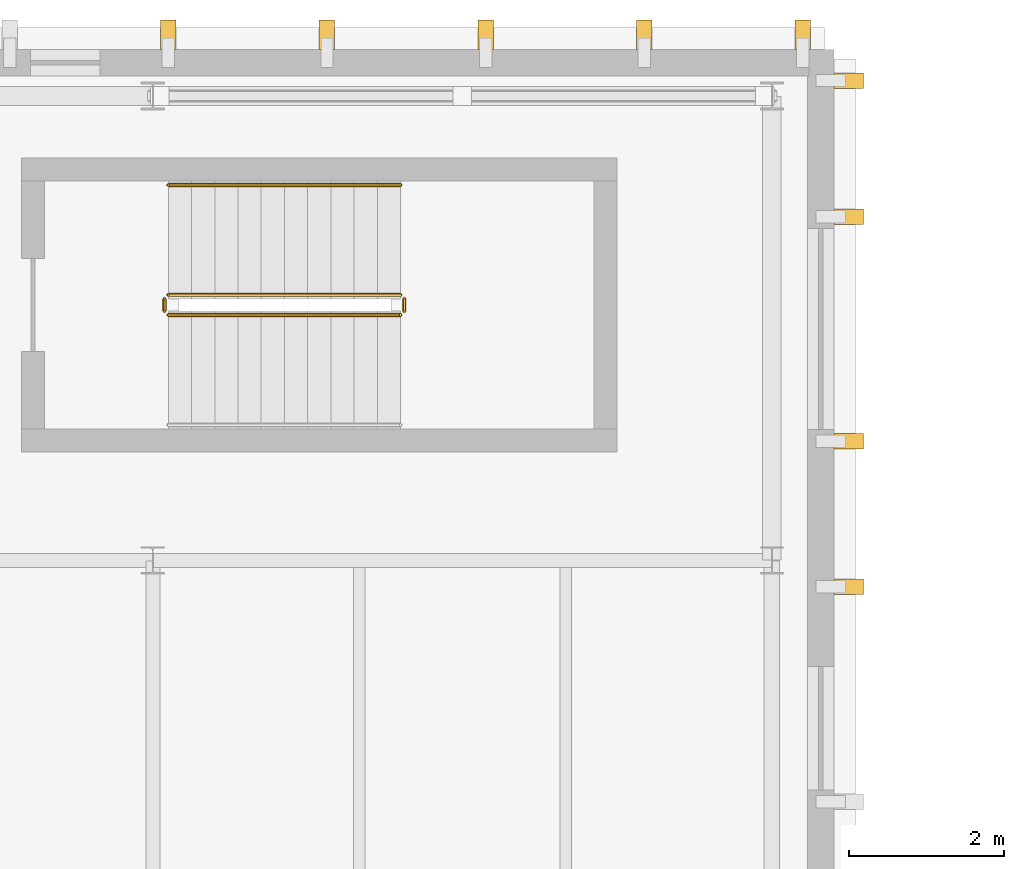
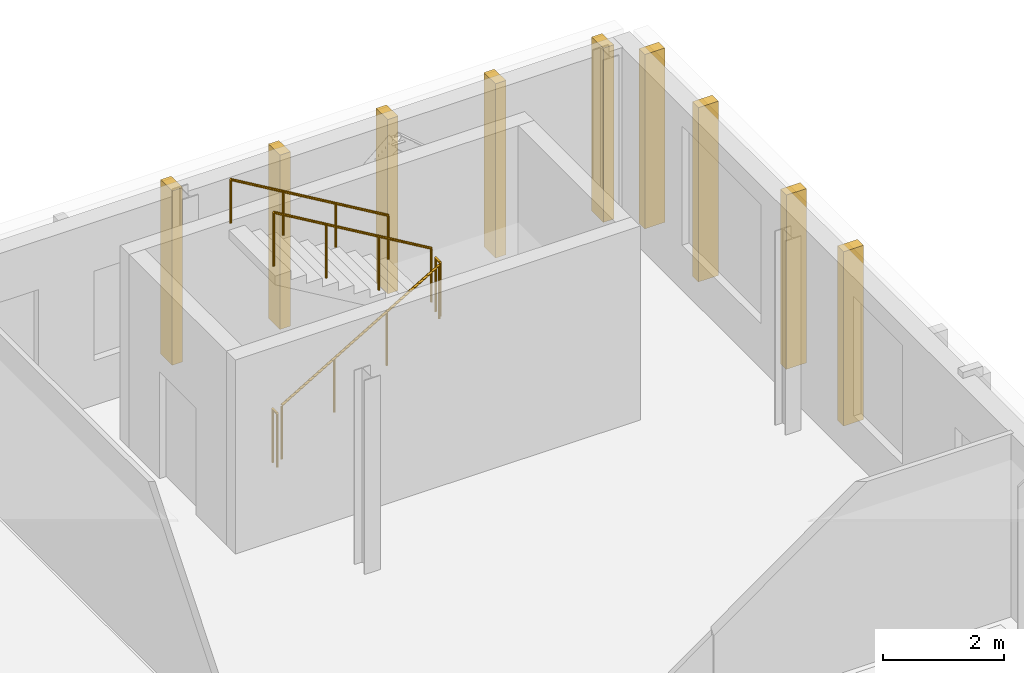
# One storey, part 40 of 43: 9 coverings, 5 railings.
"""IFC4 building model written with IfcOpenShell, lengths in metres."""

from ifc_helpers import new_model, si_unit, direction, frame, origin, origin_2d, place, context, subcontext, project, spatial, rectangle, circle, extrude, material, layer, layer_set, type_object, element, save


model = new_model("IFC4")

# Units and contexts
model_context = context("Model", 3, precision=1e-05, world=origin(), true_north=direction((0.0, 1.0)))
body_context = subcontext(model_context, "Body", "Model", "MODEL_VIEW")
ifc_project = project(units=[si_unit("LENGTHUNIT", "METRE"), si_unit("AREAUNIT", "SQUARE_METRE"), si_unit("VOLUMEUNIT", "CUBIC_METRE"), si_unit("PLANEANGLEUNIT", "RADIAN"), si_unit("MASSUNIT", "GRAM", prefix="KILO")], contexts=[model_context])

# Site, building, storey
site_placement = place(None, origin())
site = spatial("IfcSite", under=ifc_project, at=site_placement, CompositionType="ELEMENT")
building_placement = place(site_placement, origin())
building = spatial("IfcBuilding", under=site, at=building_placement, Name="Cymarion Research Institute", CompositionType="ELEMENT")
storey_placement = place(building_placement, frame((0.0, 0.0, 22.800048828125)))
storey = spatial("IfcBuildingStorey", under=building, at=storey_placement, Name="L05", CompositionType="ELEMENT", Elevation=22.800048828125)

# Railings
ifc_material_1 = material(Name="Steel S355", Category="steel")
railing_type_1 = type_object("IfcRailingType", Name="PAINTED STEEL STAIR GUARDRAIL GR1 1100MM", PredefinedType="GUARDRAIL", material=ifc_material_1)
railing_1_placement = place(storey_placement, frame((38.800048828125, 112.669921875, 0.17724609375)))
element("IfcRailing", 1, at=railing_1_placement, inside=storey, type_object=railing_type_1, Name="L05 ST10 stair guard 1", PredefinedType="GUARDRAIL", context=body_context, shape_type="SweptSolid", body=[
    extrude(circle(Radius=0.02392578125, at=origin_2d()), frame((0.0, 0.0, 1.076171875), z_axis=(0.86092931783, 0.0, 0.508724591208), x_axis=(0.0, 1.0, 0.0)), (0.0, 0.0, 1.0), 3.484619140625),
    extrude(circle(Radius=0.02099609375, at=origin_2d()), origin(), (0.0, 0.0, 1.0), 1.052001953125),
    extrude(circle(Radius=0.02099609375, at=origin_2d()), frame((1.0, 0.0, 0.5908203125)), (0.0, 0.0, 1.0), 1.052001953125),
    extrude(circle(Radius=0.02099609375, at=origin_2d()), frame((2.0, 0.0, 1.181884765625)), (0.0, 0.0, 1.0), 1.052001953125),
    extrude(circle(Radius=0.02099609375, at=origin_2d()), frame((3.0, 0.0, 1.772705078125)), (0.0, 0.0, 1.0), 1.052001953125),
])
railing_2_placement = place(storey_placement, frame((41.85009765625, 112.719970703125, 1.949951171875)))
element("IfcRailing", 2, at=railing_2_placement, inside=storey, type_object=railing_type_1, Name="L05 ST10 stair guard 2", PredefinedType="GUARDRAIL", context=body_context, shape_type="SweptSolid", body=[
    extrude(circle(Radius=0.02392578125, at=origin_2d()), frame((0.0, 0.0, 1.076171875), z_axis=(0.0, 1.0, 0.0), x_axis=(-1.0, 0.0, 0.0)), (0.0, 0.0, 1.0), 0.159912109375),
    extrude(circle(Radius=0.02099609375, at=origin_2d()), origin(), (0.0, 0.0, 1.0), 1.052001953125),
    extrude(circle(Radius=0.02099609375, at=origin_2d()), frame((0.0, 0.159912109375, 0.0)), (0.0, 0.0, 1.0), 1.052001953125),
])
railing_3_placement = place(storey_placement, frame((41.800048828125, 112.929931640625, 2.127197265625)))
element("IfcRailing", 3, at=railing_3_placement, inside=storey, type_object=railing_type_1, Name="L05 ST10 stair guard 3", PredefinedType="GUARDRAIL", context=body_context, shape_type="SweptSolid", body=[
    extrude(circle(Radius=0.02392578125, at=origin_2d()), frame((0.0, 0.0, 1.076171875), z_axis=(-0.86092931783, 0.0, 0.508724591208), x_axis=(0.0, -1.0, 0.0)), (0.0, 0.0, 1.0), 3.484619140625),
    extrude(circle(Radius=0.02099609375, at=origin_2d()), origin(), (0.0, 0.0, 1.0), 1.052001953125),
    extrude(circle(Radius=0.02099609375, at=origin_2d()), frame((-1.0, 0.0, 0.5908203125)), (0.0, 0.0, 1.0), 1.052001953125),
    extrude(circle(Radius=0.02099609375, at=origin_2d()), frame((-2.0, 0.0, 1.181884765625)), (0.0, 0.0, 1.0), 1.052001953125),
    extrude(circle(Radius=0.02099609375, at=origin_2d()), frame((-3.0, 0.0, 1.772705078125)), (0.0, 0.0, 1.0), 1.052001953125),
])
railing_4_placement = place(storey_placement, frame((38.75, 112.719970703125, 0.0)))
element("IfcRailing", 4, at=railing_4_placement, inside=storey, type_object=railing_type_1, Name="L05 ST10 stair guard 4", PredefinedType="GUARDRAIL", context=body_context, shape_type="SweptSolid", body=[
    extrude(circle(Radius=0.02392578125, at=origin_2d()), frame((0.0, 0.0, 1.076171875), z_axis=(0.0, 1.0, 0.0), x_axis=(-1.0, 0.0, 0.0)), (0.0, 0.0, 1.0), 0.159912109375),
    extrude(circle(Radius=0.02099609375, at=origin_2d()), origin(), (0.0, 0.0, 1.0), 1.052001953125),
    extrude(circle(Radius=0.02099609375, at=origin_2d()), frame((0.0, 0.159912109375, 0.0)), (0.0, 0.0, 1.0), 1.052001953125),
])

# Coverings
ifc_material_2 = material(Name="Precast concrete C45/55 architectural white", Category="concrete")
ifc_layer = layer(ifc_material_2, 0.199951171875)
ifc_layer_set = layer_set([ifc_layer], Name="Precast concrete C45/55 architectural white")
covering_type = type_object("IfcCoveringType", Name="SCULPTURAL WHITE PRECAST CONCRETE VERTICAL RIB RIB1 380X200", PredefinedType="CLADDING", material=ifc_layer_set)
for number, where, z_axis, x_axis, name in (
    (5, (47.592041015625, 109.159912109375, 0.010009765625), (0.0, 0.0, 1.0), (1.0, 0.0, 0.0), "L05 V5 sculptural precast vertical rib RIB1 #1064"),
    (6, (47.592041015625, 111.0400390625, 0.010009765625), (0.0, 0.0, 1.0), (1.0, 0.0, 0.0), "L05 V5 sculptural precast vertical rib RIB1 #1065"),
    (7, (47.592041015625, 113.93994140625, 0.010009765625), (0.0, 0.0, 1.0), (1.0, 0.0, 0.0), "L05 V5 sculptural precast vertical rib RIB1 #1066"),
    (8, (47.592041015625, 115.699951171875, 0.010009765625), (0.0, 0.0, 1.0), (1.0, 0.0, 0.0), "L05 V5 sculptural precast vertical rib RIB1 #1067"),
    (9, (47.0, 116.2919921875, 0.010009765625), (0.0, 0.0, 1.0), (0.0, 1.0, 0.0), "L05 V5 sculptural precast vertical rib RIB1 #1069"),
    (10, (44.949951171875, 116.2919921875, 0.010009765625), (0.0, 0.0, 1.0), (0.0, 1.0, 0.0), "L05 V5 sculptural precast vertical rib RIB1 #1070"),
    (11, (42.89990234375, 116.2919921875, 0.010009765625), (0.0, 0.0, 1.0), (0.0, 1.0, 0.0), "L05 V5 sculptural precast vertical rib RIB1 #1071"),
    (12, (40.85009765625, 116.2919921875, 0.010009765625), (0.0, 0.0, 1.0), (0.0, 1.0, 0.0), "L05 V5 sculptural precast vertical rib RIB1 #1072"),
    (13, (38.800048828125, 116.2919921875, 0.010009765625), (0.0, 0.0, 1.0), (0.0, 1.0, 0.0), "L05 V5 sculptural precast vertical rib RIB1 #1073"),
):
    element("IfcCovering", number, at=place(storey_placement, frame(where, z_axis=z_axis, x_axis=x_axis)), inside=storey, type_object=covering_type, Name=name, PredefinedType="CLADDING", context=body_context, shape_type="SweptSolid", body=[
        extrude(rectangle(XDim=0.3798828125, YDim=0.199951171875, at=origin_2d()), origin(), (0.0, 0.0, 1.0), 3.5048828125),
    ])

# Railing
railing_type_2 = type_object("IfcRailingType", Name="STAINLESS STEEL STAIR HANDRAIL HR1 900MM", PredefinedType="HANDRAIL", material=ifc_material_1)
railing_5_placement = place(storey_placement, frame((41.800048828125, 114.35009765625, 2.127197265625)))
element("IfcRailing", 14, at=railing_5_placement, inside=storey, type_object=railing_type_2, Name="L05 ST10 stair handrail 2", PredefinedType="HANDRAIL", context=body_context, shape_type="SweptSolid", body=[
    extrude(circle(Radius=0.02392578125, at=origin_2d()), frame((0.0, 0.0, 0.8759765625), z_axis=(-0.86092931783, 0.0, 0.508724591208), x_axis=(0.0, -1.0, 0.0)), (0.0, 0.0, 1.0), 3.484619140625),
    extrude(circle(Radius=0.02099609375, at=origin_2d()), origin(), (0.0, 0.0, 1.0), 0.851806640625),
    extrude(circle(Radius=0.02099609375, at=origin_2d()), frame((-1.0, 0.0, 0.5908203125)), (0.0, 0.0, 1.0), 0.851806640625),
    extrude(circle(Radius=0.02099609375, at=origin_2d()), frame((-2.0, 0.0, 1.181884765625)), (0.0, 0.0, 1.0), 0.851806640625),
    extrude(circle(Radius=0.02099609375, at=origin_2d()), frame((-3.0, 0.0, 1.772705078125)), (0.0, 0.0, 1.0), 0.851806640625),
])

save(model, "model.ifc")
